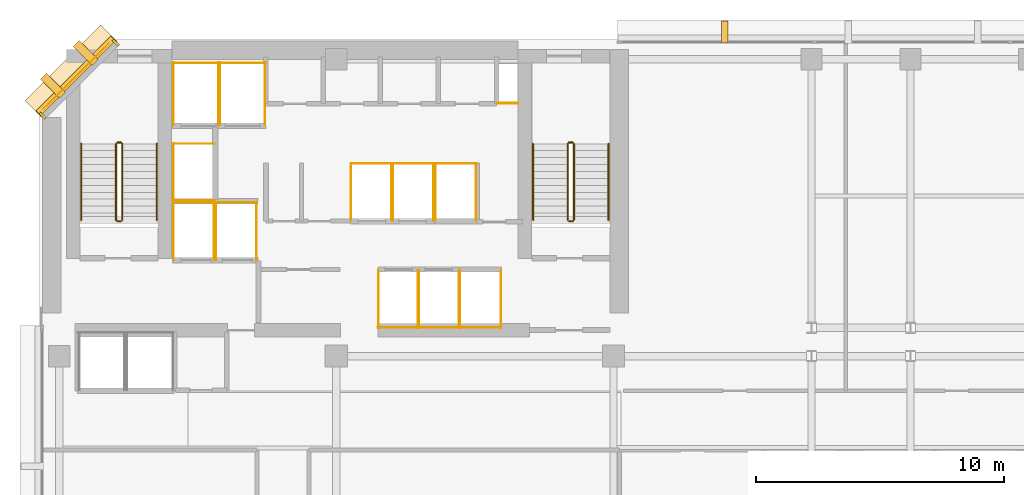
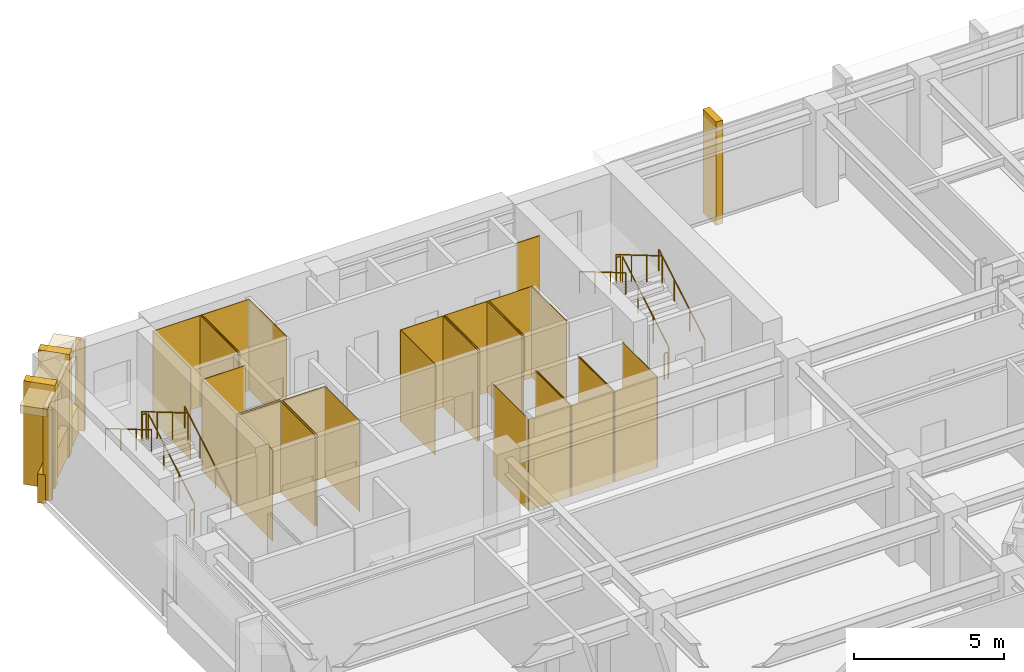
# One storey, part 10 of 11: 42 coverings, 12 railings.
"""IFC4 building model written with IfcOpenShell, lengths in metres."""

from ifc_helpers import new_model, si_unit, direction, frame, origin, origin_2d, place, context, subcontext, project, spatial, polyline, rectangle, circle, outline, extrude, material, layer, layer_set, type_object, element, save


model = new_model("IFC4")

# Units and contexts
model_context = context("Model", 3, precision=1e-05, world=origin(), true_north=direction((0.0, 1.0)))
body_context = subcontext(model_context, "Body", "Model", "MODEL_VIEW")
ifc_project = project(units=[si_unit("LENGTHUNIT", "METRE"), si_unit("AREAUNIT", "SQUARE_METRE"), si_unit("VOLUMEUNIT", "CUBIC_METRE"), si_unit("PLANEANGLEUNIT", "RADIAN"), si_unit("MASSUNIT", "GRAM", prefix="KILO")], contexts=[model_context])

# Site, building, storey
site_placement = place(None, origin())
site = spatial("IfcSite", under=ifc_project, at=site_placement, CompositionType="ELEMENT")
building_placement = place(site_placement, origin())
building = spatial("IfcBuilding", under=site, at=building_placement, Name="Kefirva Bronze Tower", CompositionType="ELEMENT")
storey_placement = place(building_placement, frame((0.0, 0.0, 158.72998046875)))
storey = spatial("IfcBuildingStorey", under=building, at=storey_placement, Name="L38", CompositionType="ELEMENT", Elevation=158.72998046875)

# Coverings
ifc_material_1 = material(Name="Bronze anodised aluminium", Category="aluminium")
ifc_layer_1 = layer(ifc_material_1, 0.02001953125, Name="Bronze anodised aluminium")
ifc_layer_set_1 = layer_set([ifc_layer_1], Name="Bronze anodised aluminium")
covering_type_1 = type_object("IfcCoveringType", Name="Anodised Bronze Spandrel Cladding 20mm", PredefinedType="CLADDING", material=ifc_layer_set_1)
covering_1_placement = place(storey_placement, frame((1.492919921875, 44.507080078125, 3.2900390625), z_axis=(0.0, 0.0, 1.0), x_axis=(-0.707106781187, -0.707106781187, 0.0)))
element("IfcCovering", 1, at=covering_1_placement, inside=storey, type_object=covering_type_1, Name="L38 Bronze Spandrel Cladding 5", PredefinedType="CLADDING", context=body_context, shape_type="SweptSolid", body=[
    extrude(rectangle(XDim=3.719482421875, YDim=0.02001953125, at=origin_2d()), origin(), (0.0, 0.0, 1.0), 0.39990234375),
])
for number, where, z_axis, x_axis, name in (
    (2, (3.08837890625, 45.862060546875, 0.0), (0.0, 0.0, 1.0), (-0.707106781187, -0.707106781187, 0.0), "L38 Facade Joint Closure Panel 5S"),
    (3, (0.137939453125, 42.91162109375, 0.0), (0.0, 0.0, 1.0), (-0.707106781187, -0.707106781187, 0.0), "L38 Facade Joint Closure Panel 5E"),
):
    element("IfcCovering", number, at=place(storey_placement, frame(where, z_axis=z_axis, x_axis=x_axis)), inside=storey, type_object=covering_type_1, Name=name, PredefinedType="CLADDING", context=body_context, shape_type="SweptSolid", body=[
        extrude(rectangle(XDim=0.10009765625, YDim=0.320068359375, at=origin_2d()), origin(), (0.0, 0.0, 1.0), 3.7099609375),
    ])
covering_2_placement = place(storey_placement, frame((1.4716796875, 44.5283203125, -0.16015625), z_axis=(0.0, 0.0, 1.0), x_axis=(-0.707106781187, -0.707106781187, 0.0)))
element("IfcCovering", 4, at=covering_2_placement, inside=storey, type_object=covering_type_1, Name="L38 Streamline Horizontal Spandrel Band 9", PredefinedType="CLADDING", context=body_context, shape_type="SweptSolid", body=[
    extrude(rectangle(XDim=4.28271484375, YDim=0.280029296875, at=origin_2d()), origin(), (0.0, 0.0, 1.0), 1.179931640625),
])
covering_3_placement = place(storey_placement, origin())
element("IfcCovering", 5, at=covering_3_placement, inside=storey, type_object=covering_type_1, Name="L38 Lift FF1 Hoistway Liner N", PredefinedType="CLADDING", context=body_context, shape_type="SweptSolid", body=[
    extrude(outline(polyline([(5.39990234375, 39.389892578125), (7.080078125, 39.389892578125), (7.080078125, 39.409912109375), (5.39990234375, 39.409912109375), (5.39990234375, 39.389892578125)])), origin(), (0.0, 0.0, 1.0), 3.7099609375),
])
covering_4_placement = place(storey_placement, origin())
element("IfcCovering", 6, at=covering_4_placement, inside=storey, type_object=covering_type_1, Name="L38 Lift FF1 Hoistway Liner W", PredefinedType="CLADDING", context=body_context, shape_type="SweptSolid", body=[
    extrude(outline(polyline([(5.409912109375, 37.080078125), (5.429931640625, 37.080078125), (5.429931640625, 39.419921875), (5.409912109375, 39.419921875), (5.409912109375, 37.080078125)])), origin(), (0.0, 0.0, 1.0), 3.7099609375),
])
covering_5_placement = place(storey_placement, origin())
element("IfcCovering", 7, at=covering_5_placement, inside=storey, type_object=covering_type_1, Name="L38 Lift FF1 Hoistway Liner E", PredefinedType="CLADDING", context=body_context, shape_type="SweptSolid", body=[
    extrude(outline(polyline([(7.050048828125, 37.080078125), (7.070068359375, 37.080078125), (7.070068359375, 39.419921875), (7.050048828125, 39.419921875), (7.050048828125, 37.080078125)])), origin(), (0.0, 0.0, 1.0), 3.7099609375),
])
covering_6_placement = place(storey_placement, origin())
element("IfcCovering", 8, at=covering_6_placement, inside=storey, type_object=covering_type_1, Name="L38 Lift FF2 Hoistway Liner N", PredefinedType="CLADDING", context=body_context, shape_type="SweptSolid", body=[
    extrude(outline(polyline([(7.1201171875, 39.389892578125), (8.800048828125, 39.389892578125), (8.800048828125, 39.409912109375), (7.1201171875, 39.409912109375), (7.1201171875, 39.389892578125)])), origin(), (0.0, 0.0, 1.0), 3.7099609375),
])
covering_7_placement = place(storey_placement, origin())
element("IfcCovering", 9, at=covering_7_placement, inside=storey, type_object=covering_type_1, Name="L38 Lift FF2 Hoistway Liner W", PredefinedType="CLADDING", context=body_context, shape_type="SweptSolid", body=[
    extrude(outline(polyline([(7.1298828125, 37.080078125), (7.14990234375, 37.080078125), (7.14990234375, 39.419921875), (7.1298828125, 39.419921875), (7.1298828125, 37.080078125)])), origin(), (0.0, 0.0, 1.0), 3.7099609375),
])
covering_8_placement = place(storey_placement, origin())
element("IfcCovering", 10, at=covering_8_placement, inside=storey, type_object=covering_type_1, Name="L38 Lift FF2 Hoistway Liner E", PredefinedType="CLADDING", context=body_context, shape_type="SweptSolid", body=[
    extrude(outline(polyline([(8.77001953125, 37.080078125), (8.7900390625, 37.080078125), (8.7900390625, 39.419921875), (8.77001953125, 39.419921875), (8.77001953125, 37.080078125)])), origin(), (0.0, 0.0, 1.0), 3.7099609375),
])
covering_9_placement = place(storey_placement, origin())
element("IfcCovering", 11, at=covering_9_placement, inside=storey, type_object=covering_type_1, Name="L38 Lift SV1 Hoistway Liner N", PredefinedType="CLADDING", context=body_context, shape_type="SweptSolid", body=[
    extrude(outline(polyline([(5.39990234375, 45.0400390625), (7.260009765625, 45.0400390625), (7.260009765625, 45.06005859375), (5.39990234375, 45.06005859375), (5.39990234375, 45.0400390625)])), origin(), (0.0, 0.0, 1.0), 3.7099609375),
])
covering_10_placement = place(storey_placement, origin())
element("IfcCovering", 12, at=covering_10_placement, inside=storey, type_object=covering_type_1, Name="L38 Lift SV1 Hoistway Liner W", PredefinedType="CLADDING", context=body_context, shape_type="SweptSolid", body=[
    extrude(outline(polyline([(5.409912109375, 42.530029296875), (5.429931640625, 42.530029296875), (5.429931640625, 45.070068359375), (5.409912109375, 45.070068359375), (5.409912109375, 42.530029296875)])), origin(), (0.0, 0.0, 1.0), 3.7099609375),
])
covering_11_placement = place(storey_placement, origin())
element("IfcCovering", 13, at=covering_11_placement, inside=storey, type_object=covering_type_1, Name="L38 Lift SV1 Hoistway Liner E", PredefinedType="CLADDING", context=body_context, shape_type="SweptSolid", body=[
    extrude(outline(polyline([(7.22998046875, 42.530029296875), (7.25, 42.530029296875), (7.25, 45.070068359375), (7.22998046875, 45.070068359375), (7.22998046875, 42.530029296875)])), origin(), (0.0, 0.0, 1.0), 3.7099609375),
])
covering_12_placement = place(storey_placement, origin())
element("IfcCovering", 14, at=covering_12_placement, inside=storey, type_object=covering_type_1, Name="L38 Lift SV2 Hoistway Liner N", PredefinedType="CLADDING", context=body_context, shape_type="SweptSolid", body=[
    extrude(outline(polyline([(7.280029296875, 45.0400390625), (9.139892578125, 45.0400390625), (9.139892578125, 45.06005859375), (7.280029296875, 45.06005859375), (7.280029296875, 45.0400390625)])), origin(), (0.0, 0.0, 1.0), 3.7099609375),
])
covering_13_placement = place(storey_placement, origin())
element("IfcCovering", 15, at=covering_13_placement, inside=storey, type_object=covering_type_1, Name="L38 Lift SV2 Hoistway Liner W", PredefinedType="CLADDING", context=body_context, shape_type="SweptSolid", body=[
    extrude(outline(polyline([(7.2900390625, 42.530029296875), (7.31005859375, 42.530029296875), (7.31005859375, 45.070068359375), (7.2900390625, 45.070068359375), (7.2900390625, 42.530029296875)])), origin(), (0.0, 0.0, 1.0), 3.7099609375),
])
covering_14_placement = place(storey_placement, origin())
element("IfcCovering", 16, at=covering_14_placement, inside=storey, type_object=covering_type_1, Name="L38 Lift SV2 Hoistway Liner E", PredefinedType="CLADDING", context=body_context, shape_type="SweptSolid", body=[
    extrude(outline(polyline([(9.110107421875, 42.530029296875), (9.1298828125, 42.530029296875), (9.1298828125, 45.070068359375), (9.110107421875, 45.070068359375), (9.110107421875, 42.530029296875)])), origin(), (0.0, 0.0, 1.0), 3.7099609375),
])
covering_15_placement = place(storey_placement, origin())
element("IfcCovering", 17, at=covering_15_placement, inside=storey, type_object=covering_type_1, Name="L38 Lift MP1 Hoistway Liner S", PredefinedType="CLADDING", context=body_context, shape_type="SweptSolid", body=[
    extrude(outline(polyline([(13.679931640625, 34.340087890625), (15.320068359375, 34.340087890625), (15.320068359375, 34.360107421875), (13.679931640625, 34.360107421875), (13.679931640625, 34.340087890625)])), origin(), (0.0, 0.0, 1.0), 3.7099609375),
])
covering_16_placement = place(storey_placement, origin())
element("IfcCovering", 18, at=covering_16_placement, inside=storey, type_object=covering_type_1, Name="L38 Lift MP1 Hoistway Liner W", PredefinedType="CLADDING", context=body_context, shape_type="SweptSolid", body=[
    extrude(outline(polyline([(13.68994140625, 34.330078125), (13.7099609375, 34.330078125), (13.7099609375, 36.669921875), (13.68994140625, 36.669921875), (13.68994140625, 34.330078125)])), origin(), (0.0, 0.0, 1.0), 3.7099609375),
])
covering_17_placement = place(storey_placement, origin())
element("IfcCovering", 19, at=covering_17_placement, inside=storey, type_object=covering_type_1, Name="L38 Lift MP1 Hoistway Liner E", PredefinedType="CLADDING", context=body_context, shape_type="SweptSolid", body=[
    extrude(outline(polyline([(15.2900390625, 34.330078125), (15.31005859375, 34.330078125), (15.31005859375, 36.669921875), (15.2900390625, 36.669921875), (15.2900390625, 34.330078125)])), origin(), (0.0, 0.0, 1.0), 3.7099609375),
])
covering_18_placement = place(storey_placement, origin())
element("IfcCovering", 20, at=covering_18_placement, inside=storey, type_object=covering_type_1, Name="L38 Lift MP2 Hoistway Liner S", PredefinedType="CLADDING", context=body_context, shape_type="SweptSolid", body=[
    extrude(outline(polyline([(15.330078125, 34.340087890625), (16.969970703125, 34.340087890625), (16.969970703125, 34.360107421875), (15.330078125, 34.360107421875), (15.330078125, 34.340087890625)])), origin(), (0.0, 0.0, 1.0), 3.7099609375),
])
covering_19_placement = place(storey_placement, origin())
element("IfcCovering", 21, at=covering_19_placement, inside=storey, type_object=covering_type_1, Name="L38 Lift MP2 Hoistway Liner W", PredefinedType="CLADDING", context=body_context, shape_type="SweptSolid", body=[
    extrude(outline(polyline([(15.340087890625, 34.330078125), (15.360107421875, 34.330078125), (15.360107421875, 36.669921875), (15.340087890625, 36.669921875), (15.340087890625, 34.330078125)])), origin(), (0.0, 0.0, 1.0), 3.7099609375),
])
covering_20_placement = place(storey_placement, origin())
element("IfcCovering", 22, at=covering_20_placement, inside=storey, type_object=covering_type_1, Name="L38 Lift MP2 Hoistway Liner E", PredefinedType="CLADDING", context=body_context, shape_type="SweptSolid", body=[
    extrude(outline(polyline([(16.93994140625, 34.330078125), (16.9599609375, 34.330078125), (16.9599609375, 36.669921875), (16.93994140625, 36.669921875), (16.93994140625, 34.330078125)])), origin(), (0.0, 0.0, 1.0), 3.7099609375),
])
covering_21_placement = place(storey_placement, origin())
element("IfcCovering", 23, at=covering_21_placement, inside=storey, type_object=covering_type_1, Name="L38 Lift MP3 Hoistway Liner N", PredefinedType="CLADDING", context=body_context, shape_type="SweptSolid", body=[
    extrude(outline(polyline([(12.580078125, 40.969970703125), (14.25, 40.969970703125), (14.25, 40.989990234375), (12.580078125, 40.989990234375), (12.580078125, 40.969970703125)])), origin(), (0.0, 0.0, 1.0), 3.7099609375),
])
covering_22_placement = place(storey_placement, origin())
element("IfcCovering", 24, at=covering_22_placement, inside=storey, type_object=covering_type_1, Name="L38 Lift MP3 Hoistway Liner W", PredefinedType="CLADDING", context=body_context, shape_type="SweptSolid", body=[
    extrude(outline(polyline([(12.590087890625, 38.659912109375), (12.610107421875, 38.659912109375), (12.610107421875, 41.0), (12.590087890625, 41.0), (12.590087890625, 38.659912109375)])), origin(), (0.0, 0.0, 1.0), 3.7099609375),
])
covering_23_placement = place(storey_placement, origin())
element("IfcCovering", 25, at=covering_23_placement, inside=storey, type_object=covering_type_1, Name="L38 Lift MP3 Hoistway Liner E", PredefinedType="CLADDING", context=body_context, shape_type="SweptSolid", body=[
    extrude(outline(polyline([(14.219970703125, 38.659912109375), (14.239990234375, 38.659912109375), (14.239990234375, 41.0), (14.219970703125, 41.0), (14.219970703125, 38.659912109375)])), origin(), (0.0, 0.0, 1.0), 3.7099609375),
])
covering_24_placement = place(storey_placement, origin())
element("IfcCovering", 26, at=covering_24_placement, inside=storey, type_object=covering_type_1, Name="L38 Lift MP4 Hoistway Liner N", PredefinedType="CLADDING", context=body_context, shape_type="SweptSolid", body=[
    extrude(outline(polyline([(14.280029296875, 40.969970703125), (15.949951171875, 40.969970703125), (15.949951171875, 40.989990234375), (14.280029296875, 40.989990234375), (14.280029296875, 40.969970703125)])), origin(), (0.0, 0.0, 1.0), 3.7099609375),
])
covering_25_placement = place(storey_placement, origin())
element("IfcCovering", 27, at=covering_25_placement, inside=storey, type_object=covering_type_1, Name="L38 Lift MP4 Hoistway Liner W", PredefinedType="CLADDING", context=body_context, shape_type="SweptSolid", body=[
    extrude(outline(polyline([(14.2900390625, 38.659912109375), (14.31005859375, 38.659912109375), (14.31005859375, 41.0), (14.2900390625, 41.0), (14.2900390625, 38.659912109375)])), origin(), (0.0, 0.0, 1.0), 3.7099609375),
])
covering_26_placement = place(storey_placement, origin())
element("IfcCovering", 28, at=covering_26_placement, inside=storey, type_object=covering_type_1, Name="L38 Lift MP4 Hoistway Liner E", PredefinedType="CLADDING", context=body_context, shape_type="SweptSolid", body=[
    extrude(outline(polyline([(15.919921875, 38.659912109375), (15.93994140625, 38.659912109375), (15.93994140625, 41.0), (15.919921875, 41.0), (15.919921875, 38.659912109375)])), origin(), (0.0, 0.0, 1.0), 3.7099609375),
])
covering_27_placement = place(storey_placement, origin())
element("IfcCovering", 29, at=covering_27_placement, inside=storey, type_object=covering_type_1, Name="L38 Lift HP1 Hoistway Liner S", PredefinedType="CLADDING", context=body_context, shape_type="SweptSolid", body=[
    extrude(outline(polyline([(16.97998046875, 34.340087890625), (18.669921875, 34.340087890625), (18.669921875, 34.360107421875), (16.97998046875, 34.360107421875), (16.97998046875, 34.340087890625)])), origin(), (0.0, 0.0, 1.0), 3.7099609375),
])
covering_28_placement = place(storey_placement, origin())
element("IfcCovering", 30, at=covering_28_placement, inside=storey, type_object=covering_type_1, Name="L38 Lift HP1 Hoistway Liner W", PredefinedType="CLADDING", context=body_context, shape_type="SweptSolid", body=[
    extrude(outline(polyline([(16.989990234375, 34.330078125), (17.010009765625, 34.330078125), (17.010009765625, 36.669921875), (16.989990234375, 36.669921875), (16.989990234375, 34.330078125)])), origin(), (0.0, 0.0, 1.0), 3.7099609375),
])
covering_29_placement = place(storey_placement, origin())
element("IfcCovering", 31, at=covering_29_placement, inside=storey, type_object=covering_type_1, Name="L38 Lift HP1 Hoistway Liner E", PredefinedType="CLADDING", context=body_context, shape_type="SweptSolid", body=[
    extrude(outline(polyline([(18.639892578125, 34.330078125), (18.659912109375, 34.330078125), (18.659912109375, 36.669921875), (18.639892578125, 36.669921875), (18.639892578125, 34.330078125)])), origin(), (0.0, 0.0, 1.0), 3.7099609375),
])
covering_30_placement = place(storey_placement, origin())
element("IfcCovering", 32, at=covering_30_placement, inside=storey, type_object=covering_type_1, Name="L38 Lift HP2 Hoistway Liner N", PredefinedType="CLADDING", context=body_context, shape_type="SweptSolid", body=[
    extrude(outline(polyline([(15.97998046875, 40.969970703125), (17.669921875, 40.969970703125), (17.669921875, 40.989990234375), (15.97998046875, 40.989990234375), (15.97998046875, 40.969970703125)])), origin(), (0.0, 0.0, 1.0), 3.7099609375),
])
covering_31_placement = place(storey_placement, origin())
element("IfcCovering", 33, at=covering_31_placement, inside=storey, type_object=covering_type_1, Name="L38 Lift HP2 Hoistway Liner W", PredefinedType="CLADDING", context=body_context, shape_type="SweptSolid", body=[
    extrude(outline(polyline([(15.989990234375, 38.659912109375), (16.010009765625, 38.659912109375), (16.010009765625, 41.0), (15.989990234375, 41.0), (15.989990234375, 38.659912109375)])), origin(), (0.0, 0.0, 1.0), 3.7099609375),
])
covering_32_placement = place(storey_placement, origin())
element("IfcCovering", 34, at=covering_32_placement, inside=storey, type_object=covering_type_1, Name="L38 Lift HP2 Hoistway Liner E", PredefinedType="CLADDING", context=body_context, shape_type="SweptSolid", body=[
    extrude(outline(polyline([(17.639892578125, 38.659912109375), (17.659912109375, 38.659912109375), (17.659912109375, 41.0), (17.639892578125, 41.0), (17.639892578125, 38.659912109375)])), origin(), (0.0, 0.0, 1.0), 3.7099609375),
])
covering_33_placement = place(storey_placement, origin())
element("IfcCovering", 35, at=covering_33_placement, inside=storey, type_object=covering_type_1, Name="L38 Lift HP3 Hoistway Liner N", PredefinedType="CLADDING", context=body_context, shape_type="SweptSolid", body=[
    extrude(outline(polyline([(5.39990234375, 41.77001953125), (7.080078125, 41.77001953125), (7.080078125, 41.7900390625), (5.39990234375, 41.7900390625), (5.39990234375, 41.77001953125)])), origin(), (0.0, 0.0, 1.0), 3.7099609375),
])
covering_34_placement = place(storey_placement, origin())
element("IfcCovering", 36, at=covering_34_placement, inside=storey, type_object=covering_type_1, Name="L38 Lift HP3 Hoistway Liner S", PredefinedType="CLADDING", context=body_context, shape_type="SweptSolid", body=[
    extrude(outline(polyline([(5.39990234375, 39.469970703125), (7.080078125, 39.469970703125), (7.080078125, 39.489990234375), (5.39990234375, 39.489990234375), (5.39990234375, 39.469970703125)])), origin(), (0.0, 0.0, 1.0), 3.7099609375),
])
covering_35_placement = place(storey_placement, origin())
element("IfcCovering", 37, at=covering_35_placement, inside=storey, type_object=covering_type_1, Name="L38 Lift HP3 Hoistway Liner W", PredefinedType="CLADDING", context=body_context, shape_type="SweptSolid", body=[
    extrude(outline(polyline([(5.409912109375, 39.4599609375), (5.429931640625, 39.4599609375), (5.429931640625, 41.800048828125), (5.409912109375, 41.800048828125), (5.409912109375, 39.4599609375)])), origin(), (0.0, 0.0, 1.0), 3.7099609375),
])
covering_36_placement = place(storey_placement, origin())
element("IfcCovering", 38, at=covering_36_placement, inside=storey, type_object=covering_type_1, Name="L38 Core MEP Riser Shaft Liner South", PredefinedType="CLADDING", context=body_context, shape_type="SweptSolid", body=[
    extrude(outline(polyline([(18.47998046875, 43.39990234375), (19.360107421875, 43.39990234375), (19.360107421875, 43.429931640625), (18.47998046875, 43.429931640625), (18.47998046875, 43.39990234375)])), origin(), (0.0, 0.0, 1.0), 3.7099609375),
])

# Railings
ifc_material_2 = material(Name="Stainless steel 316", Category="steel")
railing_type_1 = type_object("IfcRailingType", Name="Interior Stair Guardrail 1100mm", PredefinedType="GUARDRAIL", material=ifc_material_2)
railing_1_placement = place(storey_placement, frame((3.35009765625, 38.699951171875, 0.1650390625)))
element("IfcRailing", 39, at=railing_1_placement, inside=storey, type_object=railing_type_1, Name="L38 ST-1 stair guard 1", PredefinedType="GUARDRAIL", context=body_context, shape_type="SweptSolid", body=[
    extrude(circle(Radius=0.02392578125, at=origin_2d()), frame((0.0, 0.0, 1.076171875), z_axis=(0.0, 0.861551262678, 0.507670583921), x_axis=(-1.0, 0.0, 0.0)), (0.0, 0.0, 1.0), 3.574951171875),
    extrude(circle(Radius=0.02099609375, at=origin_2d()), origin(), (0.0, 0.0, 1.0), 1.052001953125),
    extrude(circle(Radius=0.02099609375, at=origin_2d()), frame((0.0, 1.026611328125, 0.60498046875)), (0.0, 0.0, 1.0), 1.052001953125),
    extrude(circle(Radius=0.02099609375, at=origin_2d()), frame((0.0, 2.053466796875, 1.2099609375)), (0.0, 0.0, 1.0), 1.052001953125),
    extrude(circle(Radius=0.02099609375, at=origin_2d()), frame((0.0, 3.080078125, 1.81494140625)), (0.0, 0.0, 1.0), 1.052001953125),
])
railing_2_placement = place(storey_placement, frame((3.300048828125, 41.830078125, 1.97998046875)))
element("IfcRailing", 40, at=railing_2_placement, inside=storey, type_object=railing_type_1, Name="L38 ST-1 stair guard 2", PredefinedType="GUARDRAIL", context=body_context, shape_type="SweptSolid", body=[
    extrude(circle(Radius=0.02392578125, at=origin_2d()), frame((0.0, 0.0, 1.076171875), z_axis=(-1.0, 0.0, 0.0), x_axis=(0.0, -1.0, 0.0)), (0.0, 0.0, 1.0), 0.150146484375),
    extrude(circle(Radius=0.02099609375, at=origin_2d()), origin(), (0.0, 0.0, 1.0), 1.052001953125),
    extrude(circle(Radius=0.02099609375, at=origin_2d()), frame((-0.150146484375, 0.0, 0.0)), (0.0, 0.0, 1.0), 1.052001953125),
])
railing_3_placement = place(storey_placement, frame((3.10009765625, 41.780029296875, 2.14501953125)))
element("IfcRailing", 41, at=railing_3_placement, inside=storey, type_object=railing_type_1, Name="L38 ST-1 stair guard 3", PredefinedType="GUARDRAIL", context=body_context, shape_type="SweptSolid", body=[
    extrude(circle(Radius=0.02392578125, at=origin_2d()), frame((0.0, 0.0, 1.076171875), z_axis=(0.0, -0.861551262678, 0.507670583921), x_axis=(1.0, 0.0, 0.0)), (0.0, 0.0, 1.0), 3.574951171875),
    extrude(circle(Radius=0.02099609375, at=origin_2d()), origin(), (0.0, 0.0, 1.0), 1.052001953125),
    extrude(circle(Radius=0.02099609375, at=origin_2d()), frame((0.0, -1.026611328125, 0.60498046875)), (0.0, 0.0, 1.0), 1.052001953125),
    extrude(circle(Radius=0.02099609375, at=origin_2d()), frame((0.0, -2.053466796875, 1.2099609375)), (0.0, 0.0, 1.0), 1.052001953125),
    extrude(circle(Radius=0.02099609375, at=origin_2d()), frame((0.0, -3.080078125, 1.81494140625)), (0.0, 0.0, 1.0), 1.052001953125),
])
railing_4_placement = place(storey_placement, frame((3.300048828125, 38.64990234375, 0.0)))
element("IfcRailing", 42, at=railing_4_placement, inside=storey, type_object=railing_type_1, Name="L38 ST-1 stair guard 4", PredefinedType="GUARDRAIL", context=body_context, shape_type="SweptSolid", body=[
    extrude(circle(Radius=0.02392578125, at=origin_2d()), frame((0.0, 0.0, 1.076171875), z_axis=(-1.0, 0.0, 0.0), x_axis=(0.0, -1.0, 0.0)), (0.0, 0.0, 1.0), 0.150146484375),
    extrude(circle(Radius=0.02099609375, at=origin_2d()), origin(), (0.0, 0.0, 1.0), 1.052001953125),
    extrude(circle(Radius=0.02099609375, at=origin_2d()), frame((-0.150146484375, 0.0, 0.0)), (0.0, 0.0, 1.0), 1.052001953125),
])
railing_5_placement = place(storey_placement, frame((21.60009765625, 38.699951171875, 0.1650390625)))
element("IfcRailing", 43, at=railing_5_placement, inside=storey, type_object=railing_type_1, Name="L38 ST-2 stair guard 1", PredefinedType="GUARDRAIL", context=body_context, shape_type="SweptSolid", body=[
    extrude(circle(Radius=0.02392578125, at=origin_2d()), frame((0.0, 0.0, 1.076171875), z_axis=(0.0, 0.861551262678, 0.507670583921), x_axis=(-1.0, 0.0, 0.0)), (0.0, 0.0, 1.0), 3.574951171875),
    extrude(circle(Radius=0.02099609375, at=origin_2d()), origin(), (0.0, 0.0, 1.0), 1.052001953125),
    extrude(circle(Radius=0.02099609375, at=origin_2d()), frame((0.0, 1.026611328125, 0.60498046875)), (0.0, 0.0, 1.0), 1.052001953125),
    extrude(circle(Radius=0.02099609375, at=origin_2d()), frame((0.0, 2.053466796875, 1.2099609375)), (0.0, 0.0, 1.0), 1.052001953125),
    extrude(circle(Radius=0.02099609375, at=origin_2d()), frame((0.0, 3.080078125, 1.81494140625)), (0.0, 0.0, 1.0), 1.052001953125),
])
railing_6_placement = place(storey_placement, frame((21.550048828125, 41.830078125, 1.97998046875)))
element("IfcRailing", 44, at=railing_6_placement, inside=storey, type_object=railing_type_1, Name="L38 ST-2 stair guard 2", PredefinedType="GUARDRAIL", context=body_context, shape_type="SweptSolid", body=[
    extrude(circle(Radius=0.02392578125, at=origin_2d()), frame((0.0, 0.0, 1.076171875), z_axis=(-1.0, 0.0, 0.0), x_axis=(0.0, -1.0, 0.0)), (0.0, 0.0, 1.0), 0.150146484375),
    extrude(circle(Radius=0.02099609375, at=origin_2d()), origin(), (0.0, 0.0, 1.0), 1.052001953125),
    extrude(circle(Radius=0.02099609375, at=origin_2d()), frame((-0.150146484375, 0.0, 0.0)), (0.0, 0.0, 1.0), 1.052001953125),
])
railing_7_placement = place(storey_placement, frame((21.35009765625, 41.780029296875, 2.14501953125)))
element("IfcRailing", 45, at=railing_7_placement, inside=storey, type_object=railing_type_1, Name="L38 ST-2 stair guard 3", PredefinedType="GUARDRAIL", context=body_context, shape_type="SweptSolid", body=[
    extrude(circle(Radius=0.02392578125, at=origin_2d()), frame((0.0, 0.0, 1.076171875), z_axis=(0.0, -0.861551262678, 0.507670583921), x_axis=(1.0, 0.0, 0.0)), (0.0, 0.0, 1.0), 3.574951171875),
    extrude(circle(Radius=0.02099609375, at=origin_2d()), origin(), (0.0, 0.0, 1.0), 1.052001953125),
    extrude(circle(Radius=0.02099609375, at=origin_2d()), frame((0.0, -1.026611328125, 0.60498046875)), (0.0, 0.0, 1.0), 1.052001953125),
    extrude(circle(Radius=0.02099609375, at=origin_2d()), frame((0.0, -2.053466796875, 1.2099609375)), (0.0, 0.0, 1.0), 1.052001953125),
    extrude(circle(Radius=0.02099609375, at=origin_2d()), frame((0.0, -3.080078125, 1.81494140625)), (0.0, 0.0, 1.0), 1.052001953125),
])
railing_8_placement = place(storey_placement, frame((21.550048828125, 38.64990234375, 0.0)))
element("IfcRailing", 46, at=railing_8_placement, inside=storey, type_object=railing_type_1, Name="L38 ST-2 stair guard 4", PredefinedType="GUARDRAIL", context=body_context, shape_type="SweptSolid", body=[
    extrude(circle(Radius=0.02392578125, at=origin_2d()), frame((0.0, 0.0, 1.076171875), z_axis=(-1.0, 0.0, 0.0), x_axis=(0.0, -1.0, 0.0)), (0.0, 0.0, 1.0), 0.150146484375),
    extrude(circle(Radius=0.02099609375, at=origin_2d()), origin(), (0.0, 0.0, 1.0), 1.052001953125),
    extrude(circle(Radius=0.02099609375, at=origin_2d()), frame((-0.150146484375, 0.0, 0.0)), (0.0, 0.0, 1.0), 1.052001953125),
])
railing_type_2 = type_object("IfcRailingType", Name="Stair Pitch Handrail 900mm", PredefinedType="HANDRAIL", material=ifc_material_2)
railing_9_placement = place(storey_placement, frame((4.75, 38.699951171875, 0.1650390625)))
element("IfcRailing", 47, at=railing_9_placement, inside=storey, type_object=railing_type_2, Name="L38 ST-1 stair handrail 1", PredefinedType="HANDRAIL", context=body_context, shape_type="SweptSolid", body=[
    extrude(circle(Radius=0.02392578125, at=origin_2d()), frame((0.0, 0.0, 0.8759765625), z_axis=(0.0, 0.861551262678, 0.507670583921), x_axis=(-1.0, 0.0, 0.0)), (0.0, 0.0, 1.0), 3.574951171875),
    extrude(circle(Radius=0.02099609375, at=origin_2d()), origin(), (0.0, 0.0, 1.0), 0.851806640625),
    extrude(circle(Radius=0.02099609375, at=origin_2d()), frame((0.0, 1.026611328125, 0.60498046875)), (0.0, 0.0, 1.0), 0.851806640625),
    extrude(circle(Radius=0.02099609375, at=origin_2d()), frame((0.0, 2.053466796875, 1.2099609375)), (0.0, 0.0, 1.0), 0.851806640625),
    extrude(circle(Radius=0.02099609375, at=origin_2d()), frame((0.0, 3.080078125, 1.81494140625)), (0.0, 0.0, 1.0), 0.851806640625),
])
railing_10_placement = place(storey_placement, frame((1.699951171875, 41.780029296875, 2.14501953125)))
element("IfcRailing", 48, at=railing_10_placement, inside=storey, type_object=railing_type_2, Name="L38 ST-1 stair handrail 2", PredefinedType="HANDRAIL", context=body_context, shape_type="SweptSolid", body=[
    extrude(circle(Radius=0.02392578125, at=origin_2d()), frame((0.0, 0.0, 0.8759765625), z_axis=(0.0, -0.861551262678, 0.507670583921), x_axis=(1.0, 0.0, 0.0)), (0.0, 0.0, 1.0), 3.574951171875),
    extrude(circle(Radius=0.02099609375, at=origin_2d()), origin(), (0.0, 0.0, 1.0), 0.851806640625),
    extrude(circle(Radius=0.02099609375, at=origin_2d()), frame((0.0, -1.026611328125, 0.60498046875)), (0.0, 0.0, 1.0), 0.851806640625),
    extrude(circle(Radius=0.02099609375, at=origin_2d()), frame((0.0, -2.053466796875, 1.2099609375)), (0.0, 0.0, 1.0), 0.851806640625),
    extrude(circle(Radius=0.02099609375, at=origin_2d()), frame((0.0, -3.080078125, 1.81494140625)), (0.0, 0.0, 1.0), 0.851806640625),
])
railing_11_placement = place(storey_placement, frame((23.0, 38.699951171875, 0.1650390625)))
element("IfcRailing", 49, at=railing_11_placement, inside=storey, type_object=railing_type_2, Name="L38 ST-2 stair handrail 1", PredefinedType="HANDRAIL", context=body_context, shape_type="SweptSolid", body=[
    extrude(circle(Radius=0.02392578125, at=origin_2d()), frame((0.0, 0.0, 0.8759765625), z_axis=(0.0, 0.861551262678, 0.507670583921), x_axis=(-1.0, 0.0, 0.0)), (0.0, 0.0, 1.0), 3.574951171875),
    extrude(circle(Radius=0.02099609375, at=origin_2d()), origin(), (0.0, 0.0, 1.0), 0.851806640625),
    extrude(circle(Radius=0.02099609375, at=origin_2d()), frame((0.0, 1.026611328125, 0.60498046875)), (0.0, 0.0, 1.0), 0.851806640625),
    extrude(circle(Radius=0.02099609375, at=origin_2d()), frame((0.0, 2.053466796875, 1.2099609375)), (0.0, 0.0, 1.0), 0.851806640625),
    extrude(circle(Radius=0.02099609375, at=origin_2d()), frame((0.0, 3.080078125, 1.81494140625)), (0.0, 0.0, 1.0), 0.851806640625),
])
railing_12_placement = place(storey_placement, frame((19.949951171875, 41.780029296875, 2.14501953125)))
element("IfcRailing", 50, at=railing_12_placement, inside=storey, type_object=railing_type_2, Name="L38 ST-2 stair handrail 2", PredefinedType="HANDRAIL", context=body_context, shape_type="SweptSolid", body=[
    extrude(circle(Radius=0.02392578125, at=origin_2d()), frame((0.0, 0.0, 0.8759765625), z_axis=(0.0, -0.861551262678, 0.507670583921), x_axis=(1.0, 0.0, 0.0)), (0.0, 0.0, 1.0), 3.574951171875),
    extrude(circle(Radius=0.02099609375, at=origin_2d()), origin(), (0.0, 0.0, 1.0), 0.851806640625),
    extrude(circle(Radius=0.02099609375, at=origin_2d()), frame((0.0, -1.026611328125, 0.60498046875)), (0.0, 0.0, 1.0), 0.851806640625),
    extrude(circle(Radius=0.02099609375, at=origin_2d()), frame((0.0, -2.053466796875, 1.2099609375)), (0.0, 0.0, 1.0), 0.851806640625),
    extrude(circle(Radius=0.02099609375, at=origin_2d()), frame((0.0, -3.080078125, 1.81494140625)), (0.0, 0.0, 1.0), 0.851806640625),
])

# Coverings
ifc_layer_2 = layer(ifc_material_1, 0.179931640625, Name="Bronze anodised aluminium")
ifc_layer_set_2 = layer_set([ifc_layer_2], Name="Bronze anodised aluminium")
covering_type_2 = type_object("IfcCoveringType", Name="Streamline Bronze Sunshade Eyebrow Cladding 180mm", PredefinedType="CLADDING", material=ifc_layer_set_2)
covering_37_placement = place(storey_placement, frame((1.28076171875, 44.71923828125, 3.39013671875), z_axis=(0.0, 0.0, 1.0), x_axis=(-0.707106781187, -0.707106781187, 0.0)))
element("IfcCovering", 51, at=covering_37_placement, inside=storey, type_object=covering_type_2, Name="L38 Streamline Bronze Sunshade Eyebrow 9", PredefinedType="CLADDING", context=body_context, shape_type="SweptSolid", body=[
    extrude(rectangle(XDim=4.322509765625, YDim=0.93994140625, at=origin_2d()), origin(), (0.0, 0.0, 1.0), 0.320068359375),
])
ifc_layer_3 = layer(ifc_material_1, 0.260009765625, Name="Bronze anodised aluminium")
ifc_layer_set_3 = layer_set([ifc_layer_3], Name="Bronze anodised aluminium")
covering_type_3 = type_object("IfcCoveringType", Name="Unbroken Bronze Buttress Fin Cladding 260mm", PredefinedType="CLADDING", material=ifc_layer_set_3)
covering_38_placement = place(storey_placement, frame((27.68798828125, 46.300048828125, -0.25), z_axis=(0.0, 0.0, 1.0), x_axis=(-1.0, 0.0, 0.0)))
element("IfcCovering", 52, at=covering_38_placement, inside=storey, type_object=covering_type_3, Name="L38 Unbroken Vertical Bronze Rib Fin 20", PredefinedType="CLADDING", context=body_context, shape_type="SweptSolid", body=[
    extrude(rectangle(XDim=0.260009765625, YDim=0.8798828125, at=origin_2d()), origin(), (0.0, 0.0, 1.0), 4.2099609375),
])
for number, where, z_axis, x_axis, name in (
    (53, (1.877197265625, 45.44287109375, -0.25), (0.0, 0.0, 1.0), (-0.707106781187, -0.707106781187, 0.0), "L38 Chamfered Corner Buttress Fin Cladding 21"),
    (54, (0.55712890625, 44.122802734375, -0.25), (0.0, 0.0, 1.0), (-0.707106781187, -0.707106781187, 0.0), "L38 Chamfered Corner Buttress Fin Cladding 22"),
):
    element("IfcCovering", number, at=place(storey_placement, frame(where, z_axis=z_axis, x_axis=x_axis)), inside=storey, type_object=covering_type_3, Name=name, PredefinedType="CLADDING", context=body_context, shape_type="SweptSolid", body=[
        extrude(rectangle(XDim=0.340087890625, YDim=1.080078125, at=origin_2d()), origin(), (0.0, 0.0, 1.0), 4.2099609375),
    ])

save(model, "model.ifc")
